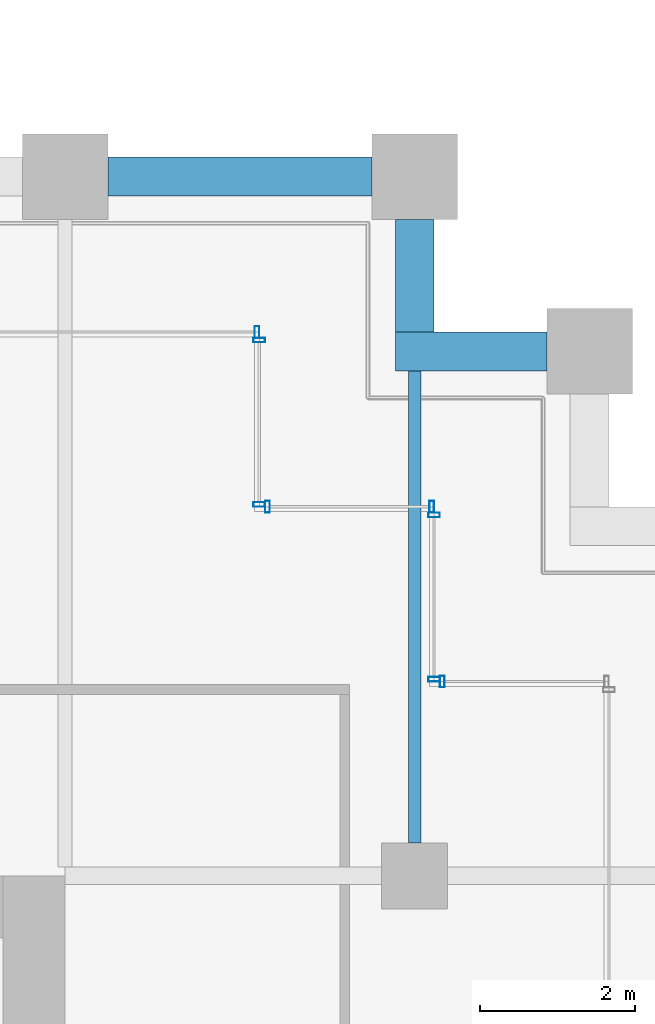
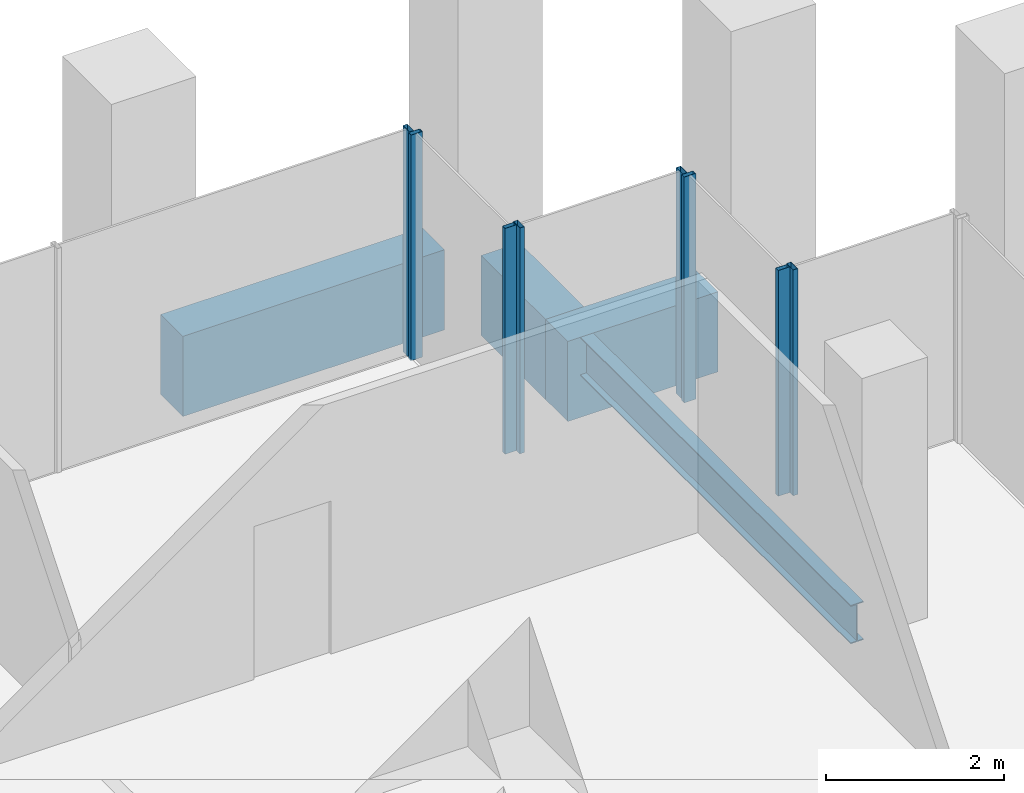
# One storey, part 45 of 56: 8 members, 4 beams, 5 elements without a shape of their own.
"""IFC4 building model written with IfcOpenShell, lengths in metres."""

from ifc_helpers import new_model, si_unit, direction, frame, origin, origin_2d, place, context, subcontext, project, spatial, rectangle, hollow_rectangle, i_section, extrude, material, material_profile, profile_set, type_object, element, aggregate, save


model = new_model("IFC4")

# Units and contexts
model_context = context("Model", 3, precision=1e-05, world=origin(), true_north=direction((0.0, 1.0)))
body_context = subcontext(model_context, "Body", "Model", "MODEL_VIEW")
ifc_project = project(units=[si_unit("LENGTHUNIT", "METRE"), si_unit("AREAUNIT", "SQUARE_METRE"), si_unit("VOLUMEUNIT", "CUBIC_METRE"), si_unit("PLANEANGLEUNIT", "RADIAN"), si_unit("MASSUNIT", "GRAM", prefix="KILO")], contexts=[model_context])

# Site, building, storey
site_placement = place(None, origin())
site = spatial("IfcSite", under=ifc_project, at=site_placement, CompositionType="ELEMENT")
building_placement = place(site_placement, origin())
building = spatial("IfcBuilding", under=site, at=building_placement, Name="Altepetl Exchange Towers", CompositionType="ELEMENT")
storey_placement = place(building_placement, frame((0.0, 0.0, 76.199951171875)))
storey = spatial("IfcBuildingStorey", under=building, at=storey_placement, Name="L18", CompositionType="ELEMENT", Elevation=76.199951171875)

# Beam
ifc_material_1 = material(Name="Steel S355", Category="steel")
ifc_material_profile_1 = material_profile(ifc_material_1, i_section(OverallWidth=0.166015625, OverallDepth=0.529052734375, WebThickness=0.009765625, FlangeThickness=0.013671875, at=origin_2d()), Name="W21X50")
ifc_profile_set_1 = profile_set([ifc_material_profile_1], Name="Steel S355")
beam_type_1 = type_object("IfcBeamType", Name="Floor beam W21X50", PredefinedType="BEAM", material=ifc_profile_set_1)
beam_1_placement = place(storey_placement, frame((121.5, 49.925048828125, -0.41455078125), z_axis=(0.0, 1.0, 0.0), x_axis=(-1.0, 0.0, 0.0)))
element("IfcBeam", 1, at=beam_1_placement, inside=storey, type_object=beam_type_1, Name="bm:B:L18:003", PredefinedType="BEAM", context=body_context, shape_type="SweptSolid", body=[
    extrude(i_section(OverallWidth=0.166015625, OverallDepth=0.529052734375, WebThickness=0.009765625, FlangeThickness=0.013671875, at=origin_2d()), origin(), (0.0, 0.0, 1.0), 6.074951171875),
])

# Curtain wall, member
ifc_material_2 = material(Name="Aluminium 6063-T6 glazing", Category="aluminium")
curtain_wall_type = type_object("IfcCurtainWallType", Name="Loggia glazing system", PredefinedType="NOTDEFINED", material=ifc_material_2)
curtain_wall_1_placement = place(storey_placement, origin())
curtain_wall_1 = element("IfcCurtainWall", 2, at=curtain_wall_1_placement, inside=storey, type_object=curtain_wall_type, Name="CW1 run", PredefinedType="NOTDEFINED")
ifc_material_3 = material(Name="Aluminium 6063-T6", Category="aluminium")
ifc_material_profile_2 = material_profile(ifc_material_3, hollow_rectangle(XDim=0.06005859375, YDim=0.14990234375, WallThickness=0.0029296875, at=origin_2d()), Name="Mullion 60x150 aluminium")
ifc_profile_set_2 = profile_set([ifc_material_profile_2], Name="Aluminium 6063-T6")
member_type = type_object("IfcMemberType", Name="Mullion 60x150 aluminium", PredefinedType="MULLION", material=ifc_profile_set_2)
member_1_placement = place(storey_placement, frame((121.85498046875, 52.0, 0.0), z_axis=(0.0, 0.0, 1.0), x_axis=(-1.0, 0.0, 0.0)))
member_1 = element("IfcMember", 3, at=member_1_placement, type_object=member_type, Name="MU1 mullion", PredefinedType="MULLION", context=body_context, shape_type="SweptSolid", body=[
    extrude(hollow_rectangle(XDim=0.06005859375, YDim=0.14990234375, WallThickness=0.0029296875, at=origin_2d()), origin(), (0.0, 0.0, 1.0), 3.10009765625),
])
aggregate(curtain_wall_1, [member_1])

# Curtain wall, members
curtain_wall_2_placement = place(storey_placement, origin())
curtain_wall_2 = element("IfcCurtainWall", 4, at=curtain_wall_2_placement, inside=storey, type_object=curtain_wall_type, Name="CW1 run", PredefinedType="NOTDEFINED")
member_2_placement = place(storey_placement, frame((121.75, 52.030029296875, 0.0), z_axis=(0.0, 0.0, 1.0), x_axis=(0.0, 1.0, 0.0)))
member_2 = element("IfcMember", 5, at=member_2_placement, type_object=member_type, Name="MU1 mullion", PredefinedType="MULLION", context=body_context, shape_type="SweptSolid", body=[
    extrude(hollow_rectangle(XDim=0.06005859375, YDim=0.14990234375, WallThickness=0.0029296875, at=origin_2d()), origin(), (0.0, 0.0, 1.0), 3.10009765625),
])
member_3_placement = place(storey_placement, frame((121.75, 54.14501953125, 0.0), z_axis=(0.0, 0.0, 1.0), x_axis=(0.0, 1.0, 0.0)))
member_3 = element("IfcMember", 6, at=member_3_placement, type_object=member_type, Name="MU1 mullion", PredefinedType="MULLION", context=body_context, shape_type="SweptSolid", body=[
    extrude(hollow_rectangle(XDim=0.06005859375, YDim=0.14990234375, WallThickness=0.0029296875, at=origin_2d()), origin(), (0.0, 0.0, 1.0), 3.10009765625),
])
aggregate(curtain_wall_2, [member_2, member_3])

curtain_wall_3_placement = place(storey_placement, origin())
curtain_wall_3 = element("IfcCurtainWall", 7, at=curtain_wall_3_placement, inside=storey, type_object=curtain_wall_type, Name="CW1 run", PredefinedType="NOTDEFINED")
member_4_placement = place(storey_placement, frame((121.719970703125, 54.25, 0.0), z_axis=(0.0, 0.0, 1.0), x_axis=(-1.0, 0.0, 0.0)))
member_4 = element("IfcMember", 8, at=member_4_placement, type_object=member_type, Name="MU1 mullion", PredefinedType="MULLION", context=body_context, shape_type="SweptSolid", body=[
    extrude(hollow_rectangle(XDim=0.06005859375, YDim=0.14990234375, WallThickness=0.0029296875, at=origin_2d()), origin(), (0.0, 0.0, 1.0), 3.10009765625),
])
member_5_placement = place(storey_placement, frame((119.60498046875, 54.25, 0.0), z_axis=(0.0, 0.0, 1.0), x_axis=(-1.0, 0.0, 0.0)))
member_5 = element("IfcMember", 9, at=member_5_placement, type_object=member_type, Name="MU1 mullion", PredefinedType="MULLION", context=body_context, shape_type="SweptSolid", body=[
    extrude(hollow_rectangle(XDim=0.06005859375, YDim=0.14990234375, WallThickness=0.0029296875, at=origin_2d()), origin(), (0.0, 0.0, 1.0), 3.10009765625),
])
aggregate(curtain_wall_3, [member_4, member_5])

curtain_wall_4_placement = place(storey_placement, origin())
curtain_wall_4 = element("IfcCurtainWall", 10, at=curtain_wall_4_placement, inside=storey, type_object=curtain_wall_type, Name="CW1 run", PredefinedType="NOTDEFINED")
member_6_placement = place(storey_placement, frame((119.5, 54.280029296875, 0.0), z_axis=(0.0, 0.0, 1.0), x_axis=(0.0, 1.0, 0.0)))
member_6 = element("IfcMember", 11, at=member_6_placement, type_object=member_type, Name="MU1 mullion", PredefinedType="MULLION", context=body_context, shape_type="SweptSolid", body=[
    extrude(hollow_rectangle(XDim=0.06005859375, YDim=0.14990234375, WallThickness=0.0029296875, at=origin_2d()), origin(), (0.0, 0.0, 1.0), 3.10009765625),
])
member_7_placement = place(storey_placement, frame((119.5, 56.39501953125, 0.0), z_axis=(0.0, 0.0, 1.0), x_axis=(0.0, 1.0, 0.0)))
member_7 = element("IfcMember", 12, at=member_7_placement, type_object=member_type, Name="MU1 mullion", PredefinedType="MULLION", context=body_context, shape_type="SweptSolid", body=[
    extrude(hollow_rectangle(XDim=0.06005859375, YDim=0.14990234375, WallThickness=0.0029296875, at=origin_2d()), origin(), (0.0, 0.0, 1.0), 3.10009765625),
])
aggregate(curtain_wall_4, [member_6, member_7])

# Curtain wall, member
curtain_wall_5_placement = place(storey_placement, origin())
curtain_wall_5 = element("IfcCurtainWall", 13, at=curtain_wall_5_placement, inside=storey, type_object=curtain_wall_type, Name="CW1 run", PredefinedType="NOTDEFINED")
member_8_placement = place(storey_placement, frame((119.469970703125, 56.5, 0.0), z_axis=(0.0, 0.0, 1.0), x_axis=(-1.0, 0.0, 0.0)))
member_8 = element("IfcMember", 14, at=member_8_placement, type_object=member_type, Name="MU1 mullion", PredefinedType="MULLION", context=body_context, shape_type="SweptSolid", body=[
    extrude(hollow_rectangle(XDim=0.06005859375, YDim=0.14990234375, WallThickness=0.0029296875, at=origin_2d()), origin(), (0.0, 0.0, 1.0), 3.10009765625),
])
aggregate(curtain_wall_5, [member_8])

# Beams
ifc_material_4 = material(Name="Concrete C50/60 precast with cantera amarilla facing", Category="concrete")
ifc_material_profile_3 = material_profile(ifc_material_4, rectangle(XDim=0.5, YDim=1.10009765625, at=origin_2d()), Name="500 x 1100")
ifc_profile_set_3 = profile_set([ifc_material_profile_3], Name="Concrete C50/60 precast with cantera amarilla facing")
beam_type_2 = type_object("IfcBeamType", Name="Spandrel beam 500x1100 cantera amarilla", PredefinedType="SPANDREL", material=ifc_profile_set_3)
beam_2_placement = place(storey_placement, frame((123.199951171875, 56.25, -0.699951171875), z_axis=(-1.0, 0.0, 0.0), x_axis=(0.0, -1.0, 0.0)))
element("IfcBeam", 15, at=beam_2_placement, inside=storey, type_object=beam_type_2, Name="sp:B:L18:016", PredefinedType="SPANDREL", context=body_context, shape_type="SweptSolid", body=[
    extrude(rectangle(XDim=0.5, YDim=1.10009765625, at=origin_2d()), origin(), (0.0, 0.0, 1.0), 1.949951171875),
])
beam_3_placement = place(storey_placement, frame((121.5, 56.5, -0.699951171875), z_axis=(0.0, 1.0, 0.0), x_axis=(-1.0, 0.0, 0.0)))
element("IfcBeam", 16, at=beam_3_placement, inside=storey, type_object=beam_type_2, Name="sp:B:L18:017", PredefinedType="SPANDREL", context=body_context, shape_type="SweptSolid", body=[
    extrude(rectangle(XDim=0.5, YDim=1.10009765625, at=origin_2d()), origin(), (0.0, 0.0, 1.0), 1.449951171875),
])
beam_4_placement = place(storey_placement, frame((120.949951171875, 58.5, -0.699951171875), z_axis=(-1.0, 0.0, 0.0), x_axis=(0.0, -1.0, 0.0)))
element("IfcBeam", 17, at=beam_4_placement, inside=storey, type_object=beam_type_2, Name="sp:B:L18:018", PredefinedType="SPANDREL", context=body_context, shape_type="SweptSolid", body=[
    extrude(rectangle(XDim=0.5, YDim=1.10009765625, at=origin_2d()), origin(), (0.0, 0.0, 1.0), 3.39990234375),
])

save(model, "model.ifc")
